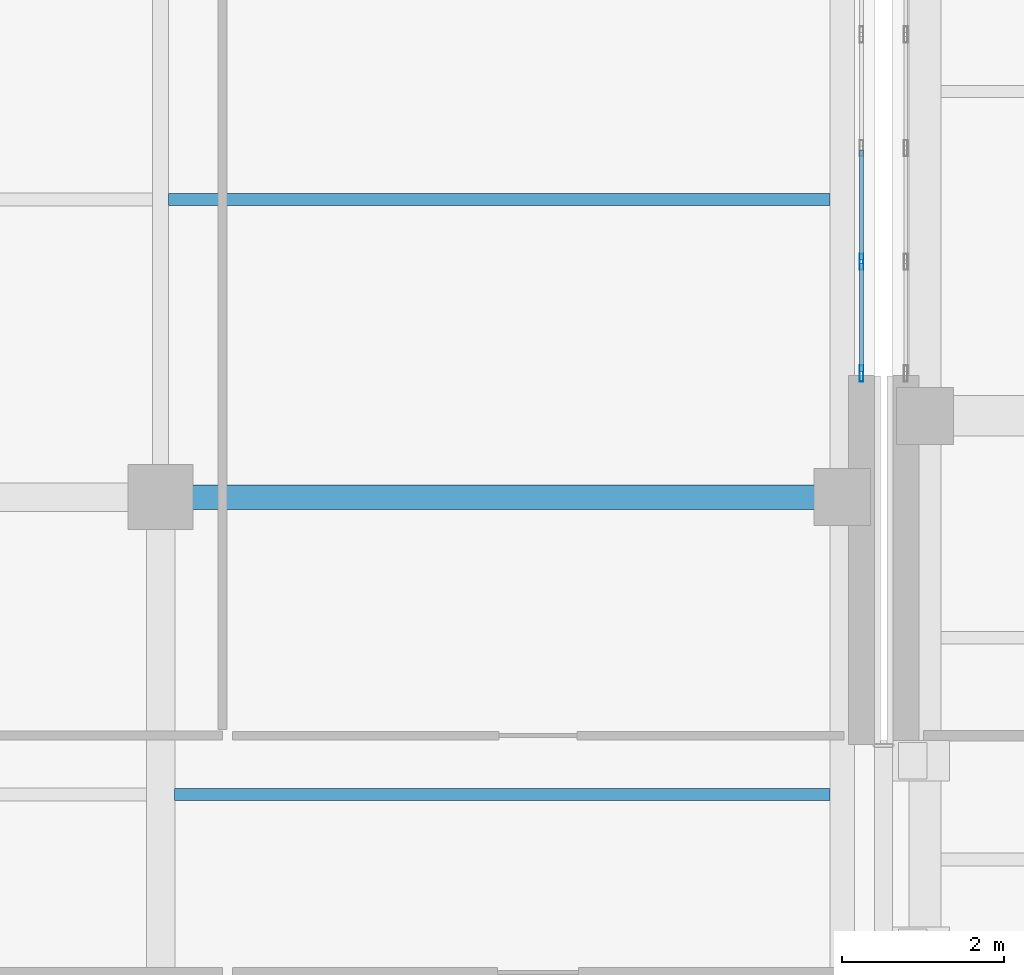
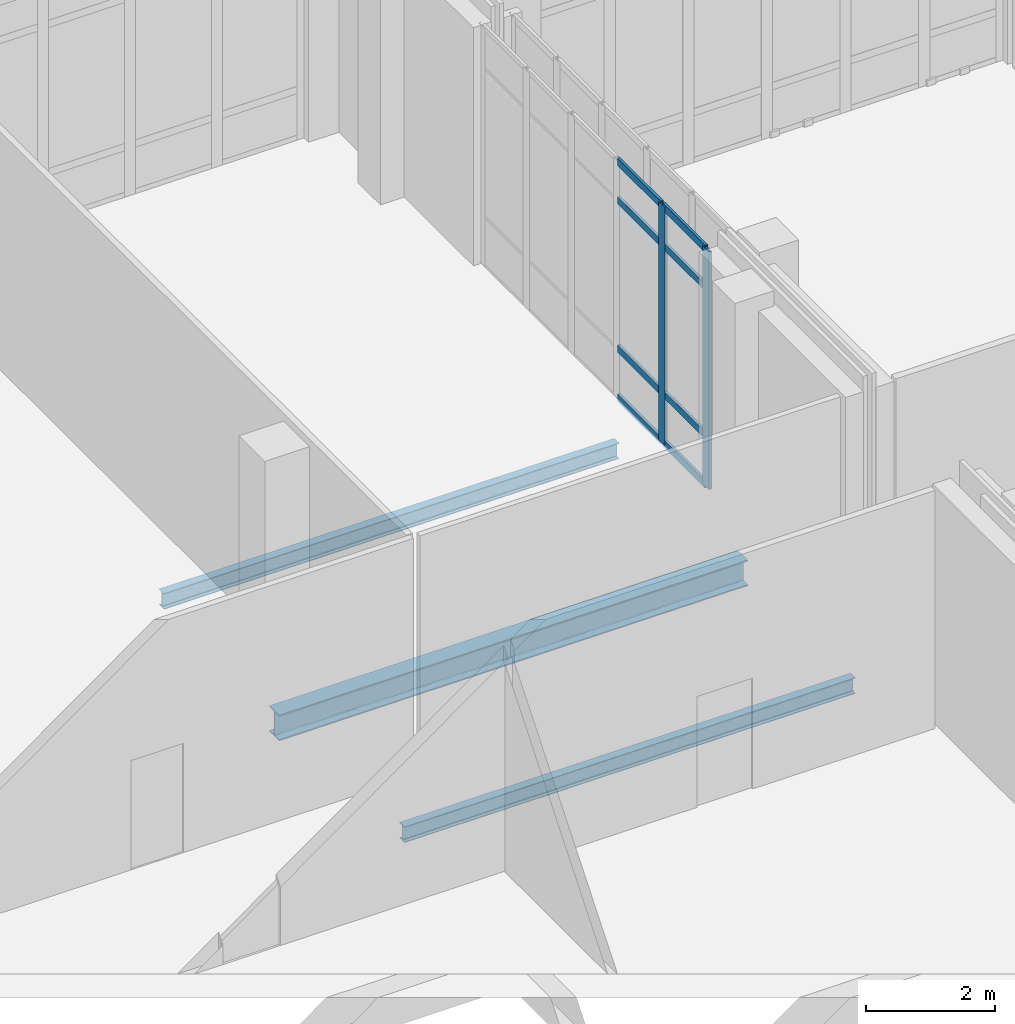
# One storey, part 6 of 189: 10 members, 3 beams, 1 element without a shape of its own.
"""IFC4 building model written with IfcOpenShell, lengths in metres."""

from ifc_helpers import new_model, si_unit, direction, frame, origin, origin_2d, place, context, subcontext, project, spatial, hollow_rectangle, i_section, extrude, material, layer, layer_set, material_profile, profile_set, type_object, element, aggregate, save


model = new_model("IFC4")

# Units and contexts
model_context = context("Model", 3, precision=1e-05, world=origin(), true_north=direction((0.0, 1.0)))
body_context = subcontext(model_context, "Body", "Model", "MODEL_VIEW")
ifc_project = project(units=[si_unit("LENGTHUNIT", "METRE"), si_unit("AREAUNIT", "SQUARE_METRE"), si_unit("VOLUMEUNIT", "CUBIC_METRE"), si_unit("PLANEANGLEUNIT", "RADIAN"), si_unit("MASSUNIT", "GRAM", prefix="KILO")], contexts=[model_context])

# Site, building, storey
site_placement = place(None, origin())
site = spatial("IfcSite", under=ifc_project, at=site_placement, CompositionType="ELEMENT")
building_placement = place(site_placement, origin())
building = spatial("IfcBuilding", under=site, at=building_placement, Name="Qalavern Law Courts", CompositionType="ELEMENT")
storey_placement = place(building_placement, frame((0.0, 0.0, 5.39990234375)))
storey = spatial("IfcBuildingStorey", under=building, at=storey_placement, Name="L01", CompositionType="ELEMENT", Elevation=5.39990234375)

# Curtain wall, members
ifc_material_1 = material(Name="Anodised aluminium and insulated glazing", Category="aluminium")
ifc_layer = layer(ifc_material_1, 0.199951171875)
ifc_layer_set = layer_set([ifc_layer], Name="Anodised aluminium and insulated glazing")
curtain_wall_type = type_object("IfcCurtainWallType", Name="ENV-CW-FOYER", PredefinedType="USERDEFINED", material=ifc_layer_set)
curtain_wall_placement = place(storey_placement, origin())
curtain_wall = element("IfcCurtainWall", 1, at=curtain_wall_placement, inside=storey, type_object=curtain_wall_type, Name="V1 unitised curtain wall L01 east 1", ObjectType="UNITISED CURTAIN WALL", PredefinedType="USERDEFINED")
ifc_material_2 = material(Name="Anodised aluminium", Category="aluminium")
ifc_material_profile_1 = material_profile(ifc_material_2, hollow_rectangle(XDim=0.048095703125, YDim=0.199951171875, WallThickness=0.00439453125, at=origin_2d()), Name="ALU MULLION 48x200")
ifc_profile_set_1 = profile_set([ifc_material_profile_1], Name="Anodised aluminium")
member_type_1 = type_object("IfcMemberType", Name="ENV-CWM-48x200", PredefinedType="MULLION", material=ifc_profile_set_1)
member_1_placement = place(storey_placement, frame((33.83740234375, 22.52392578125, 0.0), z_axis=(0.0, 0.0, 1.0), x_axis=(-1.0, 0.0, 0.0)))
member_1 = element("IfcMember", 2, at=member_1_placement, type_object=member_type_1, Name="CW-01 mullion 1", PredefinedType="MULLION", context=body_context, shape_type="SweptSolid", body=[
    extrude(hollow_rectangle(XDim=0.048095703125, YDim=0.199951171875, WallThickness=0.00439453125, at=origin_2d()), origin(), (0.0, 0.0, 1.0), 4.510009765625),
])
member_2_placement = place(storey_placement, frame((33.83740234375, 23.89990234375, 0.0), z_axis=(0.0, 0.0, 1.0), x_axis=(-1.0, 0.0, 0.0)))
member_2 = element("IfcMember", 3, at=member_2_placement, type_object=member_type_1, Name="CW-01 mullion 2", PredefinedType="MULLION", context=body_context, shape_type="SweptSolid", body=[
    extrude(hollow_rectangle(XDim=0.048095703125, YDim=0.199951171875, WallThickness=0.00439453125, at=origin_2d()), origin(), (0.0, 0.0, 1.0), 4.510009765625),
])
ifc_material_profile_2 = material_profile(ifc_material_2, hollow_rectangle(XDim=0.048095703125, YDim=0.139892578125, WallThickness=0.00390625, at=origin_2d()), Name="ALU TRANSOM 48x140")
ifc_profile_set_2 = profile_set([ifc_material_profile_2], Name="Anodised aluminium")
member_type_2 = type_object("IfcMemberType", Name="ENV-CWT-48x140", PredefinedType="USERDEFINED", material=ifc_profile_set_2)
member_3_placement = place(storey_placement, frame((33.83740234375, 22.548095703125, 0.024169921875), z_axis=(0.0, 1.0, 0.0), x_axis=(-1.0, 0.0, 0.0)))
member_3 = element("IfcMember", 4, at=member_3_placement, type_object=member_type_2, Name="CW-01 transom 1.1", ObjectType="TRANSOM", PredefinedType="USERDEFINED", context=body_context, shape_type="SweptSolid", body=[
    extrude(hollow_rectangle(XDim=0.048095703125, YDim=0.139892578125, WallThickness=0.00390625, at=origin_2d()), origin(), (0.0, 0.0, 1.0), 1.327880859375),
])
member_4_placement = place(storey_placement, frame((33.83740234375, 22.548095703125, 0.9501953125), z_axis=(0.0, 1.0, 0.0), x_axis=(-1.0, 0.0, 0.0)))
member_4 = element("IfcMember", 5, at=member_4_placement, type_object=member_type_2, Name="CW-01 transom 1.2", ObjectType="TRANSOM", PredefinedType="USERDEFINED", context=body_context, shape_type="SweptSolid", body=[
    extrude(hollow_rectangle(XDim=0.048095703125, YDim=0.139892578125, WallThickness=0.00390625, at=origin_2d()), origin(), (0.0, 0.0, 1.0), 1.327880859375),
])
member_5_placement = place(storey_placement, frame((33.83740234375, 22.548095703125, 3.760009765625), z_axis=(0.0, 1.0, 0.0), x_axis=(-1.0, 0.0, 0.0)))
member_5 = element("IfcMember", 6, at=member_5_placement, type_object=member_type_2, Name="CW-01 transom 1.3", ObjectType="TRANSOM", PredefinedType="USERDEFINED", context=body_context, shape_type="SweptSolid", body=[
    extrude(hollow_rectangle(XDim=0.048095703125, YDim=0.139892578125, WallThickness=0.00390625, at=origin_2d()), origin(), (0.0, 0.0, 1.0), 1.327880859375),
])
member_6_placement = place(storey_placement, frame((33.83740234375, 22.548095703125, 4.486083984375), z_axis=(0.0, 1.0, 0.0), x_axis=(-1.0, 0.0, 0.0)))
member_6 = element("IfcMember", 7, at=member_6_placement, type_object=member_type_2, Name="CW-01 transom 1.4", ObjectType="TRANSOM", PredefinedType="USERDEFINED", context=body_context, shape_type="SweptSolid", body=[
    extrude(hollow_rectangle(XDim=0.048095703125, YDim=0.139892578125, WallThickness=0.00390625, at=origin_2d()), origin(), (0.0, 0.0, 1.0), 1.327880859375),
])
member_7_placement = place(storey_placement, frame((33.83740234375, 23.924072265625, 0.024169921875), z_axis=(0.0, 1.0, 0.0), x_axis=(-1.0, 0.0, 0.0)))
member_7 = element("IfcMember", 8, at=member_7_placement, type_object=member_type_2, Name="CW-01 transom 2.1", ObjectType="TRANSOM", PredefinedType="USERDEFINED", context=body_context, shape_type="SweptSolid", body=[
    extrude(hollow_rectangle(XDim=0.048095703125, YDim=0.139892578125, WallThickness=0.00390625, at=origin_2d()), origin(), (0.0, 0.0, 1.0), 1.351806640625),
])
member_8_placement = place(storey_placement, frame((33.83740234375, 23.924072265625, 0.9501953125), z_axis=(0.0, 1.0, 0.0), x_axis=(-1.0, 0.0, 0.0)))
member_8 = element("IfcMember", 9, at=member_8_placement, type_object=member_type_2, Name="CW-01 transom 2.2", ObjectType="TRANSOM", PredefinedType="USERDEFINED", context=body_context, shape_type="SweptSolid", body=[
    extrude(hollow_rectangle(XDim=0.048095703125, YDim=0.139892578125, WallThickness=0.00390625, at=origin_2d()), origin(), (0.0, 0.0, 1.0), 1.351806640625),
])
member_9_placement = place(storey_placement, frame((33.83740234375, 23.924072265625, 3.760009765625), z_axis=(0.0, 1.0, 0.0), x_axis=(-1.0, 0.0, 0.0)))
member_9 = element("IfcMember", 10, at=member_9_placement, type_object=member_type_2, Name="CW-01 transom 2.3", ObjectType="TRANSOM", PredefinedType="USERDEFINED", context=body_context, shape_type="SweptSolid", body=[
    extrude(hollow_rectangle(XDim=0.048095703125, YDim=0.139892578125, WallThickness=0.00390625, at=origin_2d()), origin(), (0.0, 0.0, 1.0), 1.351806640625),
])
member_10_placement = place(storey_placement, frame((33.83740234375, 23.924072265625, 4.486083984375), z_axis=(0.0, 1.0, 0.0), x_axis=(-1.0, 0.0, 0.0)))
member_10 = element("IfcMember", 11, at=member_10_placement, type_object=member_type_2, Name="CW-01 transom 2.4", ObjectType="TRANSOM", PredefinedType="USERDEFINED", context=body_context, shape_type="SweptSolid", body=[
    extrude(hollow_rectangle(XDim=0.048095703125, YDim=0.139892578125, WallThickness=0.00390625, at=origin_2d()), origin(), (0.0, 0.0, 1.0), 1.351806640625),
])
aggregate(curtain_wall, [member_1, member_2, member_3, member_4, member_5, member_6, member_7, member_8, member_9, member_10])

# Beams
ifc_material_3 = material(Name="Steel S355", Category="steel")
ifc_material_profile_3 = material_profile(ifc_material_3, i_section(OverallWidth=0.300048828125, OverallDepth=0.489990234375, WebThickness=0.011962890625, FlangeThickness=0.02294921875, FilletRadius=0.027099609375, at=origin_2d()), Name="HEA 500")
ifc_profile_set_3 = profile_set([ifc_material_profile_3], Name="Steel S355")
beam_type_1 = type_object("IfcBeamType", Name="STR-BM-HEA500", PredefinedType="BEAM", material=ifc_profile_set_3)
beam_1_placement = place(storey_placement, frame((25.199951171875, 21.0, -0.544921875), z_axis=(1.0, 0.0, 0.0), x_axis=(0.0, 1.0, 0.0)))
element("IfcBeam", 12, at=beam_1_placement, inside=storey, type_object=beam_type_1, Name="V1 X-beam 2-2 L01", PredefinedType="BEAM", context=body_context, shape_type="SweptSolid", body=[
    extrude(i_section(OverallWidth=0.300048828125, OverallDepth=0.489990234375, WebThickness=0.011962890625, FlangeThickness=0.02294921875, FilletRadius=0.027099609375, at=origin_2d()), origin(), (0.0, 0.0, 1.0), 8.400146484375),
])
ifc_material_profile_4 = material_profile(ifc_material_3, i_section(OverallWidth=0.14990234375, OverallDepth=0.300048828125, WebThickness=0.007080078125, FlangeThickness=0.0107421875, FilletRadius=0.014892578125, at=origin_2d()), Name="IPE 300")
ifc_profile_set_4 = profile_set([ifc_material_profile_4], Name="Steel S355")
beam_type_2 = type_object("IfcBeamType", Name="STR-JST-IPE300", PredefinedType="JOIST", material=ifc_profile_set_4)
beam_2_placement = place(storey_placement, frame((25.373046875, 17.333251953125, -0.449951171875), z_axis=(1.0, 0.0, 0.0), x_axis=(0.0, 1.0, 0.0)))
element("IfcBeam", 13, at=beam_2_placement, inside=storey, type_object=beam_type_2, Name="V1 secondary joist 2.1.2 L01", PredefinedType="JOIST", context=body_context, shape_type="SweptSolid", body=[
    extrude(i_section(OverallWidth=0.14990234375, OverallDepth=0.300048828125, WebThickness=0.007080078125, FlangeThickness=0.0107421875, FilletRadius=0.014892578125, at=origin_2d()), origin(), (0.0, 0.0, 1.0), 8.078857421875),
])
beam_3_placement = place(storey_placement, frame((25.298095703125, 24.666748046875, -0.449951171875), z_axis=(1.0, 0.0, 0.0), x_axis=(0.0, 1.0, 0.0)))
element("IfcBeam", 14, at=beam_3_placement, inside=storey, type_object=beam_type_2, Name="V1 secondary joist 2.2.1 L01", PredefinedType="JOIST", context=body_context, shape_type="SweptSolid", body=[
    extrude(i_section(OverallWidth=0.14990234375, OverallDepth=0.300048828125, WebThickness=0.007080078125, FlangeThickness=0.0107421875, FilletRadius=0.014892578125, at=origin_2d()), origin(), (0.0, 0.0, 1.0), 8.15380859375),
])

save(model, "model.ifc")
